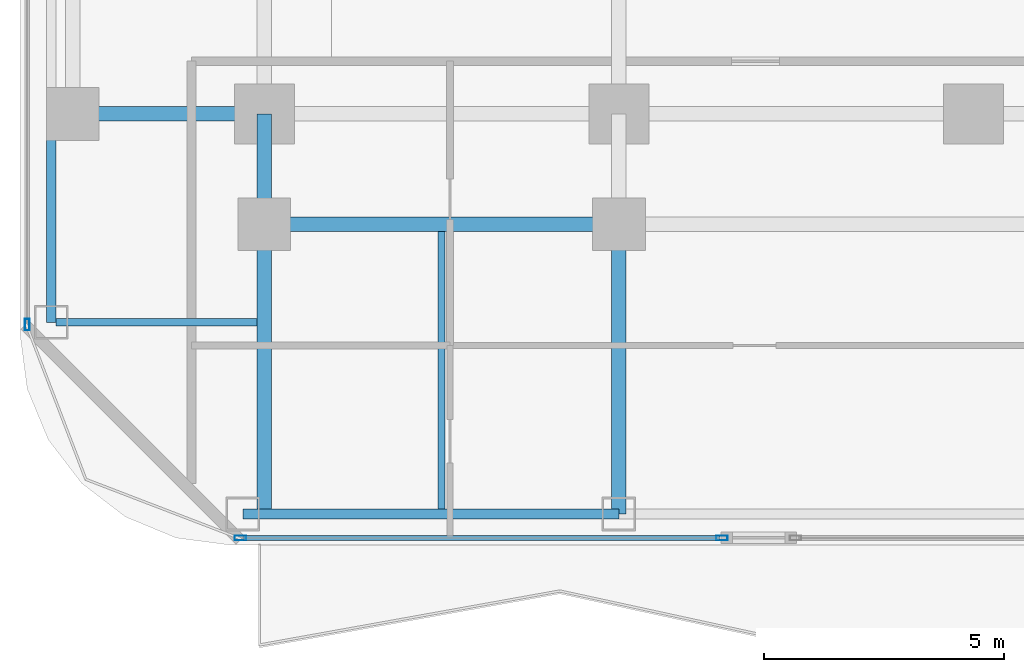
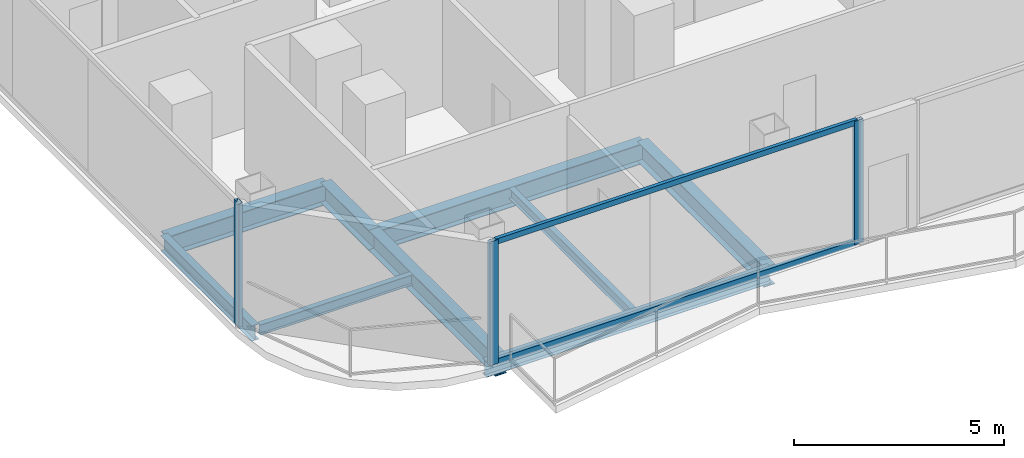
# One storey, part 2 of 27: 9 beams, 5 members, 2 elements without a shape of their own.
"""IFC4 building model written with IfcOpenShell, lengths in metres."""

from ifc_helpers import new_model, si_unit, direction, frame, origin, origin_2d, place, context, subcontext, project, spatial, hollow_rectangle, i_section, extrude, material, layer, layer_set, material_profile, profile_set, type_object, element, aggregate, save


model = new_model("IFC4")

# Units and contexts
model_context = context("Model", 3, precision=1e-05, world=origin(), true_north=direction((0.0, 1.0)))
body_context = subcontext(model_context, "Body", "Model", "MODEL_VIEW")
ifc_project = project(units=[si_unit("LENGTHUNIT", "METRE"), si_unit("AREAUNIT", "SQUARE_METRE"), si_unit("VOLUMEUNIT", "CUBIC_METRE"), si_unit("PLANEANGLEUNIT", "RADIAN"), si_unit("MASSUNIT", "GRAM", prefix="KILO")], contexts=[model_context])

# Site, building, storey
site_placement = place(None, origin())
site = spatial("IfcSite", under=ifc_project, at=site_placement, CompositionType="ELEMENT")
building_placement = place(site_placement, origin())
building = spatial("IfcBuilding", under=site, at=building_placement, Name="Khorvyn Point Tower", CompositionType="ELEMENT")
storey_placement = place(building_placement, frame((0.0, 0.0, 152.39990234375)))
storey = spatial("IfcBuildingStorey", under=building, at=storey_placement, Name="L38", CompositionType="ELEMENT", Elevation=152.39990234375)

# Curtain wall, members
ifc_material_1 = material(Name="Anodised aluminium 6063-T6 and laminated Low-E glass", Category="aluminium")
ifc_layer = layer(ifc_material_1, 0.18994140625)
ifc_layer_set = layer_set([ifc_layer], Name="Stick-Built Acoustic Curtain Wall CW-SYS-03")
curtain_wall_type = type_object("IfcCurtainWallType", Name="Stick-Built Acoustic Curtain Wall CW-SYS-03", PredefinedType="NOTDEFINED", material=ifc_layer_set)
curtain_wall_1_placement = place(storey_placement, origin())
curtain_wall_1 = element("IfcCurtainWall", 1, at=curtain_wall_1_placement, inside=storey, type_object=curtain_wall_type, Name="Curtain Wall", PredefinedType="NOTDEFINED")
ifc_material_2 = material(Name="Anodised aluminium 6063-T6", Category="aluminium")
ifc_material_profile_1 = material_profile(ifc_material_2, hollow_rectangle(XDim=0.10009765625, YDim=0.239990234375, WallThickness=0.0048828125, at=origin_2d()))
ifc_profile_set_1 = profile_set([ifc_material_profile_1], Name="Anodised aluminium 6063-T6 ALU-MUL-100x240")
member_type_1 = type_object("IfcMemberType", Name="Anodised Aluminium 6063-T6 Mullion ALU-MUL-100x240", PredefinedType="MULLION", material=ifc_profile_set_1)
member_1_placement = place(storey_placement, frame((-5.2509765625, -23.64990234375, 0.0), z_axis=(0.0, 0.0, 1.0), x_axis=(0.0, -1.0, 0.0)))
member_1 = element("IfcMember", 2, at=member_1_placement, type_object=member_type_1, Name="Transom", PredefinedType="MULLION", context=body_context, shape_type="SweptSolid", body=[
    extrude(hollow_rectangle(XDim=0.10009765625, YDim=0.239990234375, WallThickness=0.0048828125, at=origin_2d()), origin(), (0.0, 0.0, 1.0), 3.60009765625),
])
member_2_placement = place(storey_placement, frame((-15.300048828125, -23.64990234375, 0.0), z_axis=(0.0, 0.0, 1.0), x_axis=(0.0, -1.0, 0.0)))
member_2 = element("IfcMember", 3, at=member_2_placement, type_object=member_type_1, Name="Transom", PredefinedType="MULLION", context=body_context, shape_type="SweptSolid", body=[
    extrude(hollow_rectangle(XDim=0.10009765625, YDim=0.239990234375, WallThickness=0.0048828125, at=origin_2d()), origin(), (0.0, 0.0, 1.0), 3.60009765625),
])

# Curtain wall, member
curtain_wall_2_placement = place(storey_placement, origin())
curtain_wall_2 = element("IfcCurtainWall", 4, at=curtain_wall_2_placement, inside=storey, type_object=curtain_wall_type, Name="Curtain Wall", PredefinedType="NOTDEFINED")
member_3_placement = place(storey_placement, frame((-19.75, -19.199951171875, 0.0), z_axis=(0.0, 0.0, 1.0), x_axis=(-1.0, 0.0, 0.0)))
member_3 = element("IfcMember", 5, at=member_3_placement, type_object=member_type_1, Name="Transom", PredefinedType="MULLION", context=body_context, shape_type="SweptSolid", body=[
    extrude(hollow_rectangle(XDim=0.10009765625, YDim=0.239990234375, WallThickness=0.0048828125, at=origin_2d()), origin(), (0.0, 0.0, 1.0), 3.60009765625),
])
aggregate(curtain_wall_2, [member_3])

# Member
ifc_material_profile_2 = material_profile(ifc_material_2, hollow_rectangle(XDim=0.10009765625, YDim=0.159912109375, WallThickness=0.00439453125, at=origin_2d()))
ifc_profile_set_2 = profile_set([ifc_material_profile_2], Name="Anodised aluminium 6063-T6 ALU-TRN-100x160")
member_type_2 = type_object("IfcMemberType", Name="Anodised Aluminium 6063-T6 Transom ALU-TRN-100x160", PredefinedType="USERDEFINED", material=ifc_profile_set_2)
member_4_placement = place(storey_placement, frame((-5.301025390625, -23.64990234375, 0.050048828125), z_axis=(-1.0, 0.0, 0.0), x_axis=(0.0, -1.0, 0.0)))
member_4 = element("IfcMember", 6, at=member_4_placement, type_object=member_type_2, Name="Transom", ObjectType="TRANSOM", PredefinedType="USERDEFINED", context=body_context, shape_type="SweptSolid", body=[
    extrude(hollow_rectangle(XDim=0.10009765625, YDim=0.159912109375, WallThickness=0.00439453125, at=origin_2d()), origin(), (0.0, 0.0, 1.0), 9.948974609375),
])

member_5_placement = place(storey_placement, frame((-5.301025390625, -23.64990234375, 3.550048828125), z_axis=(-1.0, 0.0, 0.0), x_axis=(0.0, -1.0, 0.0)))
member_5 = element("IfcMember", 7, at=member_5_placement, type_object=member_type_2, Name="Transom", ObjectType="TRANSOM", PredefinedType="USERDEFINED", context=body_context, shape_type="SweptSolid", body=[
    extrude(hollow_rectangle(XDim=0.10009765625, YDim=0.159912109375, WallThickness=0.00439453125, at=origin_2d()), origin(), (0.0, 0.0, 1.0), 9.948974609375),
])

aggregate(curtain_wall_1, [member_1, member_2, member_4, member_5])

# Beams
ifc_material_3 = material(Name="Steel S355", Category="steel")
ifc_material_profile_3 = material_profile(ifc_material_3, i_section(OverallWidth=0.300048828125, OverallDepth=0.587890625, WebThickness=0.011962890625, FlangeThickness=0.02001953125, at=origin_2d()))
ifc_profile_set_3 = profile_set([ifc_material_profile_3], Name="Steel S355 H588x300x12x20")
beam_type_1 = type_object("IfcBeamType", Name="Steel S355 Beam H588x300x12x20", PredefinedType="BEAM", material=ifc_profile_set_3)
beam_1_placement = place(storey_placement, frame((-19.25, -14.800048828125, -0.513916015625), z_axis=(1.0, 0.0, 0.0), x_axis=(0.0, 1.0, 0.0)))
element("IfcBeam", 8, at=beam_1_placement, inside=storey, type_object=beam_type_1, Name="Beam", PredefinedType="BEAM", context=body_context, shape_type="SweptSolid", body=[
    extrude(i_section(OverallWidth=0.300048828125, OverallDepth=0.587890625, WebThickness=0.011962890625, FlangeThickness=0.02001953125, at=origin_2d()), origin(), (0.0, 0.0, 1.0), 4.449951171875),
])
beam_2_placement = place(storey_placement, frame((-14.800048828125, -17.10009765625, -0.513916015625), z_axis=(1.0, 0.0, 0.0), x_axis=(0.0, 1.0, 0.0)))
element("IfcBeam", 9, at=beam_2_placement, inside=storey, type_object=beam_type_1, Name="Beam", PredefinedType="BEAM", context=body_context, shape_type="SweptSolid", body=[
    extrude(i_section(OverallWidth=0.300048828125, OverallDepth=0.587890625, WebThickness=0.011962890625, FlangeThickness=0.02001953125, at=origin_2d()), origin(), (0.0, 0.0, 1.0), 7.400146484375),
])
beam_3_placement = place(storey_placement, frame((-14.800048828125, -23.14990234375, -0.513916015625), z_axis=(0.0, 1.0, 0.0), x_axis=(-1.0, 0.0, 0.0)))
element("IfcBeam", 10, at=beam_3_placement, inside=storey, type_object=beam_type_1, Name="Beam", PredefinedType="BEAM", context=body_context, shape_type="SweptSolid", body=[
    extrude(i_section(OverallWidth=0.300048828125, OverallDepth=0.587890625, WebThickness=0.011962890625, FlangeThickness=0.02001953125, at=origin_2d()), origin(), (0.0, 0.0, 1.0), 6.0498046875),
])
beam_4_placement = place(storey_placement, frame((-14.800048828125, -17.10009765625, -0.513916015625), z_axis=(0.0, 1.0, 0.0), x_axis=(-1.0, 0.0, 0.0)))
element("IfcBeam", 11, at=beam_4_placement, inside=storey, type_object=beam_type_1, Name="Beam", PredefinedType="BEAM", context=body_context, shape_type="SweptSolid", body=[
    extrude(i_section(OverallWidth=0.300048828125, OverallDepth=0.587890625, WebThickness=0.011962890625, FlangeThickness=0.02001953125, at=origin_2d()), origin(), (0.0, 0.0, 1.0), 2.300048828125),
])
beam_5_placement = place(storey_placement, frame((-7.39990234375, -23.14990234375, -0.513916015625), z_axis=(0.0, 1.0, 0.0), x_axis=(-1.0, 0.0, 0.0)))
element("IfcBeam", 12, at=beam_5_placement, inside=storey, type_object=beam_type_1, Name="Beam", PredefinedType="BEAM", context=body_context, shape_type="SweptSolid", body=[
    extrude(i_section(OverallWidth=0.300048828125, OverallDepth=0.587890625, WebThickness=0.011962890625, FlangeThickness=0.02001953125, at=origin_2d()), origin(), (0.0, 0.0, 1.0), 6.0498046875),
])
ifc_material_profile_4 = material_profile(ifc_material_3, i_section(OverallWidth=0.14990234375, OverallDepth=0.300048828125, WebThickness=0.006591796875, FlangeThickness=0.009033203125, at=origin_2d()))
ifc_profile_set_4 = profile_set([ifc_material_profile_4], Name="Steel S355 H300x150x6.5x9")
beam_type_2 = type_object("IfcBeamType", Name="Steel S355 Joist H300x150x6.5x9", PredefinedType="JOIST", material=ifc_profile_set_4)
beam_6_placement = place(storey_placement, frame((-11.10009765625, -23.050048828125, -0.369873046875), z_axis=(0.0, 1.0, 0.0), x_axis=(-1.0, 0.0, 0.0)))
element("IfcBeam", 13, at=beam_6_placement, inside=storey, type_object=beam_type_2, Name="Beam", PredefinedType="JOIST", context=body_context, shape_type="SweptSolid", body=[
    extrude(i_section(OverallWidth=0.14990234375, OverallDepth=0.300048828125, WebThickness=0.006591796875, FlangeThickness=0.009033203125, at=origin_2d()), origin(), (0.0, 0.0, 1.0), 5.800048828125),
])
beam_7_placement = place(storey_placement, frame((-19.14990234375, -19.14990234375, -0.369873046875), z_axis=(1.0, 0.0, 0.0), x_axis=(0.0, 1.0, 0.0)))
element("IfcBeam", 14, at=beam_7_placement, inside=storey, type_object=beam_type_2, Name="Beam", PredefinedType="JOIST", context=body_context, shape_type="SweptSolid", body=[
    extrude(i_section(OverallWidth=0.14990234375, OverallDepth=0.300048828125, WebThickness=0.006591796875, FlangeThickness=0.009033203125, at=origin_2d()), origin(), (0.0, 0.0, 1.0), 4.199951171875),
])
ifc_material_profile_5 = material_profile(ifc_material_3, i_section(OverallWidth=0.199951171875, OverallDepth=0.449951171875, WebThickness=0.009033203125, FlangeThickness=0.013916015625, at=origin_2d()))
ifc_profile_set_5 = profile_set([ifc_material_profile_5], Name="Steel S355 H450x200x9x14")
beam_type_3 = type_object("IfcBeamType", Name="Steel S355 Spandrel H450x200x9x14", PredefinedType="SPANDREL", material=ifc_profile_set_5)
beam_8_placement = place(storey_placement, frame((-15.25, -23.14990234375, -0.44482421875), z_axis=(1.0, 0.0, 0.0), x_axis=(0.0, 1.0, 0.0)))
element("IfcBeam", 15, at=beam_8_placement, inside=storey, type_object=beam_type_3, Name="Beam", PredefinedType="SPANDREL", context=body_context, shape_type="SweptSolid", body=[
    extrude(i_section(OverallWidth=0.199951171875, OverallDepth=0.449951171875, WebThickness=0.009033203125, FlangeThickness=0.013916015625, at=origin_2d()), origin(), (0.0, 0.0, 1.0), 7.85009765625),
])
beam_9_placement = place(storey_placement, frame((-19.25, -19.14990234375, -0.44482421875), z_axis=(0.0, 1.0, 0.0), x_axis=(-1.0, 0.0, 0.0)))
element("IfcBeam", 16, at=beam_9_placement, inside=storey, type_object=beam_type_3, Name="Beam", PredefinedType="SPANDREL", context=body_context, shape_type="SweptSolid", body=[
    extrude(i_section(OverallWidth=0.199951171875, OverallDepth=0.449951171875, WebThickness=0.009033203125, FlangeThickness=0.013916015625, at=origin_2d()), origin(), (0.0, 0.0, 1.0), 4.349853515625),
])

save(model, "model.ifc")
